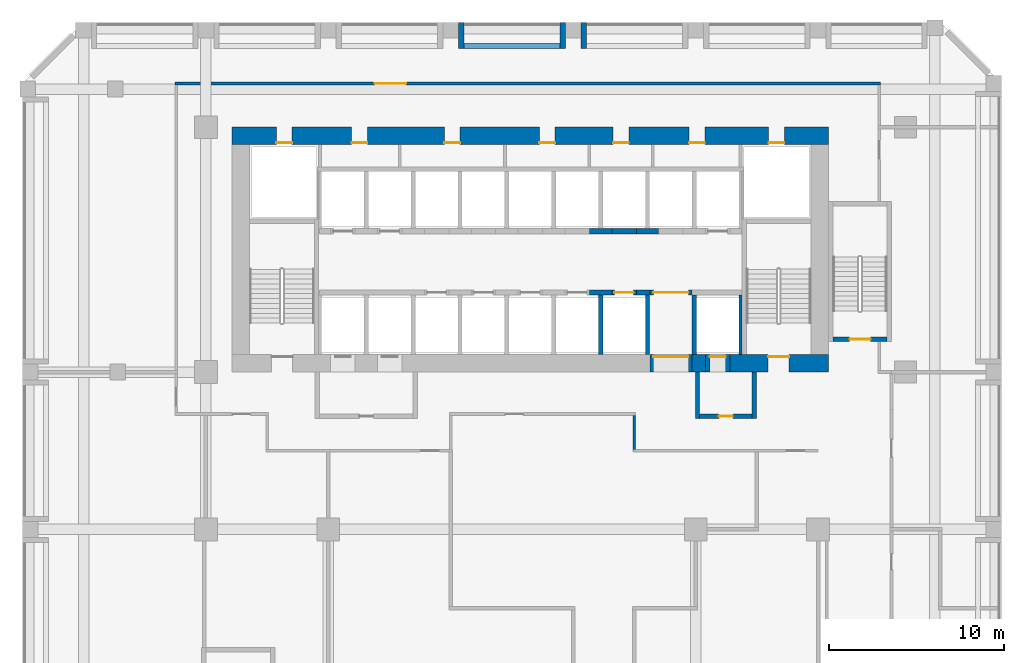
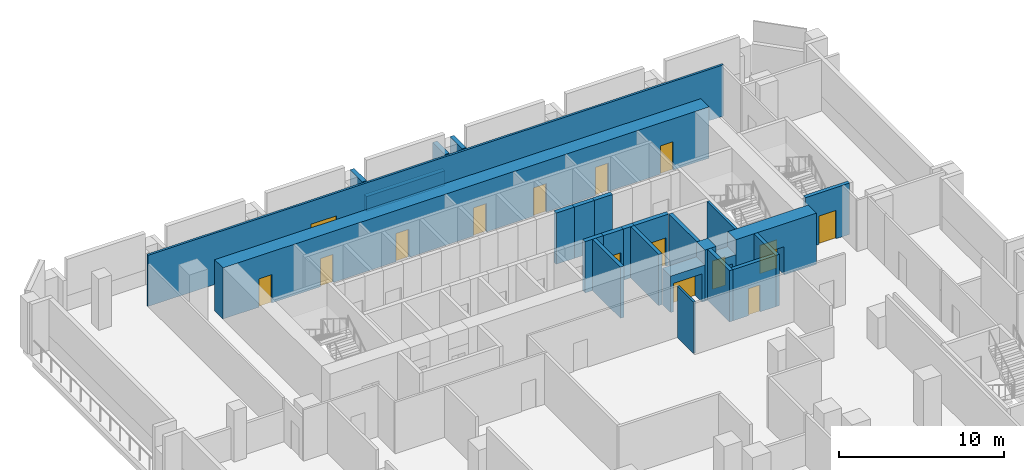
# One storey, part 5 of 10: 26 walls, 15 doors, 15 openings.
"""IFC4 building model written with IfcOpenShell, lengths in metres."""

from ifc_helpers import new_model, si_unit, direction, frame, frame_2d, origin, place, context, subcontext, project, spatial, rectangle, extrude, source, transform, mapped, material, layer, layer_set, type_object, element, fill, save


model = new_model("IFC4")

# Units and contexts
model_context = context("Model", 3, precision=1e-05, world=origin(), true_north=direction((0.0, 1.0)))
body_context = subcontext(model_context, "Body", "Model", "MODEL_VIEW")
ifc_project = project(units=[si_unit("LENGTHUNIT", "METRE"), si_unit("AREAUNIT", "SQUARE_METRE"), si_unit("VOLUMEUNIT", "CUBIC_METRE"), si_unit("PLANEANGLEUNIT", "RADIAN"), si_unit("MASSUNIT", "GRAM", prefix="KILO")], contexts=[model_context])

# Site, building, storey
site_placement = place(None, origin())
site = spatial("IfcSite", under=ifc_project, at=site_placement, CompositionType="ELEMENT")
building_placement = place(site_placement, origin())
building = spatial("IfcBuilding", under=site, at=building_placement, Name="Kilnfold Tower and Market Hall", CompositionType="ELEMENT")
storey_placement = place(building_placement, frame((0.0, 0.0, 59.0)))
storey = spatial("IfcBuildingStorey", under=building, at=storey_placement, Name="L13 Plant Transfer Level", CompositionType="ELEMENT", Elevation=59.0)

# Wall
ifc_material_1 = material(Name="Gypsum board on steel studs", Category="steel")
ifc_layer_1 = layer(ifc_material_1, 0.14990234375)
ifc_layer_set_1 = layer_set([ifc_layer_1], Name="Gypsum board on steel studs")
wall_type_1 = type_object("IfcWallType", Name="WALL CORRIDOR 150", PredefinedType="PARTITIONING", material=ifc_layer_set_1)
wall_1_placement = place(storey_placement, frame((7.0, 5.52490234375, 0.0), z_axis=(0.0, 0.0, 1.0), x_axis=(0.0, -1.0, 0.0)))
element("IfcWall", 1, at=wall_1_placement, inside=storey, type_object=wall_type_1, Name="Partition LY11.6", PredefinedType="PARTITIONING", context=body_context, shape_type="SweptSolid", body=[
    extrude(rectangle(XDim=1.949951171875, YDim=0.14990234375, at=frame_2d((0.97509765625, 0.0))), origin(), (0.0, 0.0, 1.0), 3.800048828125),
])

# Wall, opening, door
wall_2_placement = place(storey_placement, frame((21.074951171875, 24.5, 0.0), z_axis=(0.0, 0.0, 1.0), x_axis=(-1.0, 0.0, 0.0)))
wall_2 = element("IfcWall", 2, at=wall_2_placement, inside=storey, type_object=wall_type_1, Name="Partition LY11.17", PredefinedType="PARTITIONING", context=body_context, shape_type="SweptSolid", body=[
    extrude(rectangle(XDim=40.349853515625, YDim=0.14990234375, at=frame_2d((20.1748046875, 0.0))), origin(), (0.0, 0.0, 1.0), 3.800048828125),
])
opening_1_placement = place(wall_2_placement, frame((27.135009765625, 0.0, 0.0)))
opening_1 = element("IfcOpeningElement", 3, at=opening_1_placement, cuts=wall_2, Name="Opening D5", PredefinedType="OPENING", context=body_context, shape_type="SweptSolid", body=[
    extrude(rectangle(XDim=1.800048828125, YDim=2.10009765625, at=frame_2d((0.89990234375, 1.050048828125))), frame((0.0, 0.0849609375, 0.0), z_axis=(0.0, -1.0, 0.0), x_axis=(1.0, 0.0, 0.0)), (0.0, 0.0, 1.0), 0.169921875),
])
ifc_material_2 = material(Name="Timber veneer door leaf in steel frame", Category="steel")
door_type_1 = type_object("IfcDoorType", Name="DOOR DOUBLE 1800 X2100", OperationType="NOTDEFINED", PredefinedType="DOOR", material=ifc_material_2)
door_1_placement = place(opening_1_placement, origin())
door_1 = element("IfcDoor", 4, at=door_1_placement, inside=storey, type_object=door_type_1, Name="Door D5", OperationType="DOUBLE_DOOR_SINGLE_SWING", OverallHeight=2.10009765625, OverallWidth=1.800048828125, PredefinedType="DOOR", context=body_context, shape_type="SweptSolid", body=[
    extrude(rectangle(XDim=1.800048828125, YDim=2.10009765625, at=frame_2d((0.89990234375, 1.050048828125))), frame((0.0, 0.02490234375, 0.0), z_axis=(0.0, -1.0, 0.0), x_axis=(1.0, 0.0, 0.0)), (0.0, 0.0, 1.0), 0.050048828125),
])
fill(opening_1, door_1)

# Wall
ifc_material_3 = material(Name="Concrete C80", Category="concrete")
ifc_layer_2 = layer(ifc_material_3, 1.0)
ifc_layer_set_2 = layer_set([ifc_layer_2], Name="Concrete C80")
wall_type_2 = type_object("IfcWallType", Name="CORE WALL 1000 C80", PredefinedType="SHEAR", material=ifc_layer_set_2)
shared_shape_1 = source(origin(), body_context, "Body", "SweptSolid", [
    extrude(rectangle(XDim=0.780029296875, YDim=1.0, at=frame_2d((0.39013671875, 0.0))), origin(), (0.0, 0.0, 1.0), 3.800048828125),
])
wall_3_placement = place(storey_placement, frame((10.2900390625, 8.5, 0.0), z_axis=(0.0, 0.0, 1.0), x_axis=(1.0, 0.0, 0.0)))
element("IfcWall", 5, at=wall_3_placement, inside=storey, type_object=wall_type_2, Name="Core outer wall south", PredefinedType="SHEAR", context=body_context, shape_type="MappedRepresentation", body=[
    mapped(shared_shape_1, transform((0.0, 0.0, 0.0))),
])

# Wall, opening, door
shared_shape_2 = source(origin(), body_context, "Body", "SweptSolid", [
    extrude(rectangle(XDim=5.630126953125, YDim=1.0, at=frame_2d((2.81494140625, 0.0))), origin(), (0.0, 0.0, 1.0), 3.800048828125),
])
wall_4_placement = place(storey_placement, frame((12.469970703125, 8.5, 0.0), z_axis=(0.0, 0.0, 1.0), x_axis=(1.0, 0.0, 0.0)))
wall_4 = element("IfcWall", 6, at=wall_4_placement, inside=storey, type_object=wall_type_2, Name="Core outer wall south", PredefinedType="SHEAR", context=body_context, shape_type="MappedRepresentation", body=[
    mapped(shared_shape_2, transform((0.0, 0.0, 0.0))),
])
opening_2_placement = place(wall_4_placement, frame((2.179931640625, 0.0, 0.0)))
opening_2 = element("IfcOpeningElement", 7, at=opening_2_placement, cuts=wall_4, Name="Opening SD1", PredefinedType="OPENING", context=body_context, shape_type="SweptSolid", body=[
    extrude(rectangle(XDim=1.199951171875, YDim=2.10009765625, at=frame_2d((0.60009765625, 1.050048828125))), frame((0.0, 0.510009765625, 0.0), z_axis=(0.0, -1.0, 0.0), x_axis=(1.0, 0.0, 0.0)), (0.0, 0.0, 1.0), 1.02001953125),
])
ifc_material_4 = material(Name="Steel door set with fire-resisting leaf", Category="steel")
door_type_2 = type_object("IfcDoorType", Name="STAIR FLOOR DOOR 1200X2100", OperationType="NOTDEFINED", PredefinedType="DOOR", material=ifc_material_4)
door_2_placement = place(opening_2_placement, origin())
door_2 = element("IfcDoor", 8, at=door_2_placement, inside=storey, type_object=door_type_2, Name="Exit stair ST2 door", OperationType="DOUBLE_DOOR_SINGLE_SWING", OverallHeight=2.10009765625, OverallWidth=1.199951171875, PredefinedType="DOOR", context=body_context, shape_type="SweptSolid", body=[
    extrude(rectangle(XDim=1.199951171875, YDim=2.10009765625, at=frame_2d((0.60009765625, 1.050048828125))), frame((0.0, 0.40478515625, 0.0), z_axis=(0.0, -1.0, 0.0), x_axis=(1.0, 0.0, 0.0)), (0.0, 0.0, 1.0), 0.050048828125),
])
fill(opening_2, door_2)

# Wall, openings, doors
shared_shape_3 = source(origin(), body_context, "Body", "SweptSolid", [
    extrude(rectangle(XDim=34.10009765625, YDim=1.0, at=frame_2d((17.050048828125, 0.0))), origin(), (0.0, 0.0, 1.0), 3.800048828125),
])
wall_5_placement = place(storey_placement, frame((-16.0, 21.5, 0.0), z_axis=(0.0, 0.0, 1.0), x_axis=(1.0, 0.0, 0.0)))
wall_5 = element("IfcWall", 9, at=wall_5_placement, inside=storey, type_object=wall_type_2, Name="Core outer wall north", PredefinedType="SHEAR", context=body_context, shape_type="MappedRepresentation", body=[
    mapped(shared_shape_3, transform((0.0, 0.0, 0.0))),
])
opening_3_placement = place(wall_5_placement, frame((6.831298828125, 0.0, 0.0)))
opening_3 = element("IfcOpeningElement", 10, at=opening_3_placement, cuts=wall_5, Name="Opening KD1", PredefinedType="OPENING", context=body_context, shape_type="SweptSolid", body=[
    extrude(rectangle(XDim=0.89990234375, YDim=2.10009765625, at=frame_2d((0.449951171875, 1.050048828125))), frame((0.0, 0.510009765625, 0.0), z_axis=(0.0, -1.0, 0.0), x_axis=(1.0, 0.0, 0.0)), (0.0, 0.0, 1.0), 1.02001953125),
])
opening_4_placement = place(wall_5_placement, frame((12.1376953125, 0.0, 0.0)))
opening_4 = element("IfcOpeningElement", 11, at=opening_4_placement, cuts=wall_5, Name="Opening KD1", PredefinedType="OPENING", context=body_context, shape_type="SweptSolid", body=[
    extrude(rectangle(XDim=0.89990234375, YDim=2.10009765625, at=frame_2d((0.449951171875, 1.050048828125))), frame((0.0, 0.510009765625, 0.0), z_axis=(0.0, -1.0, 0.0), x_axis=(1.0, 0.0, 0.0)), (0.0, 0.0, 1.0), 1.02001953125),
])
opening_5_placement = place(wall_5_placement, frame((17.564697265625, 0.0, 0.0)))
opening_5 = element("IfcOpeningElement", 12, at=opening_5_placement, cuts=wall_5, Name="Opening KD1", PredefinedType="OPENING", context=body_context, shape_type="SweptSolid", body=[
    extrude(rectangle(XDim=0.89990234375, YDim=2.10009765625, at=frame_2d((0.449951171875, 1.050048828125))), frame((0.0, 0.510009765625, 0.0), z_axis=(0.0, -1.0, 0.0), x_axis=(1.0, 0.0, 0.0)), (0.0, 0.0, 1.0), 1.02001953125),
])
opening_6_placement = place(wall_5_placement, frame((21.785888671875, 0.0, 0.0)))
opening_6 = element("IfcOpeningElement", 13, at=opening_6_placement, cuts=wall_5, Name="Opening KD1", PredefinedType="OPENING", context=body_context, shape_type="SweptSolid", body=[
    extrude(rectangle(XDim=0.89990234375, YDim=2.10009765625, at=frame_2d((0.449951171875, 1.050048828125))), frame((0.0, 0.510009765625, 0.0), z_axis=(0.0, -1.0, 0.0), x_axis=(1.0, 0.0, 0.0)), (0.0, 0.0, 1.0), 1.02001953125),
])
opening_7_placement = place(wall_5_placement, frame((26.12744140625, 0.0, 0.0)))
opening_7 = element("IfcOpeningElement", 14, at=opening_7_placement, cuts=wall_5, Name="Opening KD1", PredefinedType="OPENING", context=body_context, shape_type="SweptSolid", body=[
    extrude(rectangle(XDim=0.89990234375, YDim=2.10009765625, at=frame_2d((0.449951171875, 1.050048828125))), frame((0.0, 0.510009765625, 0.0), z_axis=(0.0, -1.0, 0.0), x_axis=(1.0, 0.0, 0.0)), (0.0, 0.0, 1.0), 1.02001953125),
])
opening_8_placement = place(wall_5_placement, frame((2.52490234375, 0.0, 0.0)))
opening_8 = element("IfcOpeningElement", 15, at=opening_8_placement, cuts=wall_5, Name="Opening KD1", PredefinedType="OPENING", context=body_context, shape_type="SweptSolid", body=[
    extrude(rectangle(XDim=0.89990234375, YDim=2.10009765625, at=frame_2d((0.449951171875, 1.050048828125))), frame((0.0, 0.510009765625, 0.0), z_axis=(0.0, -1.0, 0.0), x_axis=(1.0, 0.0, 0.0)), (0.0, 0.0, 1.0), 1.02001953125),
])
opening_9_placement = place(wall_5_placement, frame((30.675048828125, 0.0, 0.0)))
opening_9 = element("IfcOpeningElement", 16, at=opening_9_placement, cuts=wall_5, Name="Opening KD1", PredefinedType="OPENING", context=body_context, shape_type="SweptSolid", body=[
    extrude(rectangle(XDim=0.89990234375, YDim=2.10009765625, at=frame_2d((0.449951171875, 1.050048828125))), frame((0.0, 0.510009765625, 0.0), z_axis=(0.0, -1.0, 0.0), x_axis=(1.0, 0.0, 0.0)), (0.0, 0.0, 1.0), 1.02001953125),
])
ifc_material_5 = material(Name="Steel door set with fire-resisting leaf", Category="steel")
door_type_3 = type_object("IfcDoorType", Name="SERVICE DOOR 900X2100", OperationType="NOTDEFINED", PredefinedType="DOOR", material=ifc_material_5)
door_3_placement = place(opening_3_placement, origin())
door_3 = element("IfcDoor", 17, at=door_3_placement, inside=storey, type_object=door_type_3, Name="Core service door", OperationType="SINGLE_SWING_RIGHT", OverallHeight=2.10009765625, OverallWidth=0.89990234375, PredefinedType="DOOR", context=body_context, shape_type="SweptSolid", body=[
    extrude(rectangle(XDim=0.89990234375, YDim=2.10009765625, at=frame_2d((0.449951171875, 1.050048828125))), frame((0.0, -0.35498046875, 0.0), z_axis=(0.0, -1.0, 0.0), x_axis=(1.0, 0.0, 0.0)), (0.0, 0.0, 1.0), 0.050048828125),
])
fill(opening_3, door_3)
door_4_placement = place(opening_4_placement, origin())
door_4 = element("IfcDoor", 18, at=door_4_placement, inside=storey, type_object=door_type_3, Name="Core service door", OperationType="SINGLE_SWING_LEFT", OverallHeight=2.10009765625, OverallWidth=0.89990234375, PredefinedType="DOOR", context=body_context, shape_type="SweptSolid", body=[
    extrude(rectangle(XDim=0.89990234375, YDim=2.10009765625, at=frame_2d((0.449951171875, 1.050048828125))), frame((0.0, -0.35498046875, 0.0), z_axis=(0.0, -1.0, 0.0), x_axis=(1.0, 0.0, 0.0)), (0.0, 0.0, 1.0), 0.050048828125),
])
fill(opening_4, door_4)
door_5_placement = place(opening_5_placement, origin())
door_5 = element("IfcDoor", 19, at=door_5_placement, inside=storey, type_object=door_type_3, Name="Core service door", OperationType="SINGLE_SWING_RIGHT", OverallHeight=2.10009765625, OverallWidth=0.89990234375, PredefinedType="DOOR", context=body_context, shape_type="SweptSolid", body=[
    extrude(rectangle(XDim=0.89990234375, YDim=2.10009765625, at=frame_2d((0.449951171875, 1.050048828125))), frame((0.0, -0.35498046875, 0.0), z_axis=(0.0, -1.0, 0.0), x_axis=(1.0, 0.0, 0.0)), (0.0, 0.0, 1.0), 0.050048828125),
])
fill(opening_5, door_5)
door_6_placement = place(opening_6_placement, origin())
door_6 = element("IfcDoor", 20, at=door_6_placement, inside=storey, type_object=door_type_3, Name="Core service door", OperationType="SINGLE_SWING_LEFT", OverallHeight=2.10009765625, OverallWidth=0.89990234375, PredefinedType="DOOR", context=body_context, shape_type="SweptSolid", body=[
    extrude(rectangle(XDim=0.89990234375, YDim=2.10009765625, at=frame_2d((0.449951171875, 1.050048828125))), frame((0.0, -0.35498046875, 0.0), z_axis=(0.0, -1.0, 0.0), x_axis=(1.0, 0.0, 0.0)), (0.0, 0.0, 1.0), 0.050048828125),
])
fill(opening_6, door_6)
door_7_placement = place(opening_7_placement, origin())
door_7 = element("IfcDoor", 21, at=door_7_placement, inside=storey, type_object=door_type_3, Name="Core service door", OperationType="SINGLE_SWING_RIGHT", OverallHeight=2.10009765625, OverallWidth=0.89990234375, PredefinedType="DOOR", context=body_context, shape_type="SweptSolid", body=[
    extrude(rectangle(XDim=0.89990234375, YDim=2.10009765625, at=frame_2d((0.449951171875, 1.050048828125))), frame((0.0, -0.35498046875, 0.0), z_axis=(0.0, -1.0, 0.0), x_axis=(1.0, 0.0, 0.0)), (0.0, 0.0, 1.0), 0.050048828125),
])
fill(opening_7, door_7)
door_8_placement = place(opening_8_placement, origin())
door_8 = element("IfcDoor", 22, at=door_8_placement, inside=storey, type_object=door_type_3, Name="Electrical riser access door", OperationType="SINGLE_SWING_LEFT", OverallHeight=2.10009765625, OverallWidth=0.89990234375, PredefinedType="DOOR", context=body_context, shape_type="SweptSolid", body=[
    extrude(rectangle(XDim=0.89990234375, YDim=2.10009765625, at=frame_2d((0.449951171875, 1.050048828125))), frame((0.0, -0.35498046875, 0.0), z_axis=(0.0, -1.0, 0.0), x_axis=(1.0, 0.0, 0.0)), (0.0, 0.0, 1.0), 0.050048828125),
])
fill(opening_8, door_8)
door_9_placement = place(opening_9_placement, origin())
door_9 = element("IfcDoor", 23, at=door_9_placement, inside=storey, type_object=door_type_3, Name="Mechanical riser access door", OperationType="SINGLE_SWING_RIGHT", OverallHeight=2.10009765625, OverallWidth=0.89990234375, PredefinedType="DOOR", context=body_context, shape_type="SweptSolid", body=[
    extrude(rectangle(XDim=0.89990234375, YDim=2.10009765625, at=frame_2d((0.449951171875, 1.050048828125))), frame((0.0, -0.35498046875, 0.0), z_axis=(0.0, -1.0, 0.0), x_axis=(1.0, 0.0, 0.0)), (0.0, 0.0, 1.0), 0.050048828125),
])
fill(opening_9, door_9)

# Wall, opening, door
ifc_material_6 = material(Name="Concrete C80", Category="concrete")
ifc_layer_3 = layer(ifc_material_6, 0.25)
ifc_layer_set_3 = layer_set([ifc_layer_3], Name="Concrete C80")
wall_type_3 = type_object("IfcWallType", Name="CORE WALL 250 C80", PredefinedType="SHEAR", material=ifc_layer_set_3)
shared_shape_4 = source(origin(), body_context, "Body", "SweptSolid", [
    extrude(rectangle(XDim=3.099853515625, YDim=0.25, at=frame_2d((1.5498046875, 0.0))), origin(), (0.0, 0.0, 1.0), 3.800048828125),
])
wall_6_placement = place(storey_placement, frame((18.35009765625, 9.875, 0.0), z_axis=(0.0, 0.0, 1.0), x_axis=(1.0, 0.0, 0.0)))
wall_6 = element("IfcWall", 24, at=wall_6_placement, inside=storey, type_object=wall_type_3, Name="Stair enclosure ST5", PredefinedType="SHEAR", context=body_context, shape_type="MappedRepresentation", body=[
    mapped(shared_shape_4, transform((0.0, 0.0, 0.0))),
])
opening_10_placement = place(wall_6_placement, frame((0.949951171875, 0.0, 0.0)))
opening_10 = element("IfcOpeningElement", 25, at=opening_10_placement, cuts=wall_6, Name="Opening SD1", PredefinedType="OPENING", context=body_context, shape_type="SweptSolid", body=[
    extrude(rectangle(XDim=1.199951171875, YDim=2.10009765625, at=frame_2d((0.60009765625, 1.050048828125))), frame((0.0, 0.135009765625, 0.0), z_axis=(0.0, -1.0, 0.0), x_axis=(1.0, 0.0, 0.0)), (0.0, 0.0, 1.0), 0.27001953125),
])
door_10_placement = place(opening_10_placement, origin())
door_10 = element("IfcDoor", 26, at=door_10_placement, inside=storey, type_object=door_type_2, Name="Exit stair ST5 door", OperationType="DOUBLE_DOOR_SINGLE_SWING", OverallHeight=2.10009765625, OverallWidth=1.199951171875, PredefinedType="DOOR", context=body_context, shape_type="SweptSolid", body=[
    extrude(rectangle(XDim=1.199951171875, YDim=2.10009765625, at=frame_2d((0.60009765625, 1.050048828125))), frame((0.0, 0.02490234375, 0.0), z_axis=(0.0, -1.0, 0.0), x_axis=(1.0, 0.0, 0.0)), (0.0, 0.0, 1.0), 0.050048828125),
])
fill(opening_10, door_10)

# Walls
ifc_material_7 = material(Name="Concrete C80", Category="concrete")
ifc_layer_4 = layer(ifc_material_7, 0.300048828125)
ifc_layer_set_4 = layer_set([ifc_layer_4], Name="Concrete C80")
wall_type_4 = type_object("IfcWallType", Name="CORE WALL 300 C80", PredefinedType="SHEAR", material=ifc_layer_set_4)
shared_shape_5 = source(origin(), body_context, "Body", "SweptSolid", [
    extrude(rectangle(XDim=1.280029296875, YDim=0.300048828125, at=frame_2d((0.64013671875, 0.0))), origin(), (0.0, 0.0, 1.0), 3.800048828125),
])
for number, where, z_axis, x_axis, name in (
    (27, (4.429931640625, 12.550048828125, 0.0), (0.0, 0.0, 1.0), (1.0, 0.0, 0.0), "Core spine wall"),
    (28, (4.429931640625, 16.050048828125, 0.0), (0.0, 0.0, 1.0), (1.0, 0.0, 0.0), "Core spine wall"),
):
    element("IfcWall", number, at=place(storey_placement, frame(where, z_axis=z_axis, x_axis=x_axis)), inside=storey, type_object=wall_type_4, Name=name, PredefinedType="SHEAR", context=body_context, shape_type="MappedRepresentation", body=[
        mapped(shared_shape_5, transform((0.0, 0.0, 0.0))),
    ])
shared_shape_6 = source(origin(), body_context, "Body", "SweptSolid", [
    extrude(rectangle(XDim=0.77978515625, YDim=0.300048828125, at=frame_2d((0.389892578125, 0.0))), origin(), (0.0, 0.0, 1.0), 3.800048828125),
])
wall_7_placement = place(storey_placement, frame((7.110107421875, 12.550048828125, 0.0), z_axis=(0.0, 0.0, 1.0), x_axis=(1.0, 0.0, 0.0)))
element("IfcWall", 29, at=wall_7_placement, inside=storey, type_object=wall_type_4, Name="Core spine wall", PredefinedType="SHEAR", context=body_context, shape_type="MappedRepresentation", body=[
    mapped(shared_shape_6, transform((0.0, 0.0, 0.0))),
])
shared_shape_7 = source(origin(), body_context, "Body", "SweptSolid", [
    extrude(rectangle(XDim=1.27978515625, YDim=0.300048828125, at=frame_2d((0.639892578125, 0.0))), origin(), (0.0, 0.0, 1.0), 3.800048828125),
])
wall_8_placement = place(storey_placement, frame((7.110107421875, 16.050048828125, 0.0), z_axis=(0.0, 0.0, 1.0), x_axis=(1.0, 0.0, 0.0)))
element("IfcWall", 30, at=wall_8_placement, inside=storey, type_object=wall_type_4, Name="Core spine wall", PredefinedType="SHEAR", context=body_context, shape_type="MappedRepresentation", body=[
    mapped(shared_shape_7, transform((0.0, 0.0, 0.0))),
])
ifc_material_8 = material(Name="Precast concrete C50/60", Category="concrete")
ifc_layer_5 = layer(ifc_material_8, 0.300048828125)
ifc_layer_set_5 = layer_set([ifc_layer_5], Name="Precast concrete C50/60")
wall_type_5 = type_object("IfcWallType", Name="PRECAST WALL 300", PredefinedType="SOLIDWALL", material=ifc_layer_set_5)
shared_shape_8 = source(origin(), body_context, "Body", "SweptSolid", [
    extrude(rectangle(XDim=5.5, YDim=0.300048828125, at=frame_2d((2.75, 0.0))), origin(), (0.0, 0.0, 1.0), 1.10009765625),
])
wall_9_placement = place(storey_placement, frame((2.75, 26.64990234375, 0.0), z_axis=(0.0, 0.0, 1.0), x_axis=(-1.0, 0.0, 0.0)))
element("IfcWall", 31, at=wall_9_placement, inside=storey, type_object=wall_type_5, Name="Knee wall L13 N", PredefinedType="SOLIDWALL", context=body_context, shape_type="MappedRepresentation", body=[
    mapped(shared_shape_8, transform((0.0, 0.0, 0.0))),
])
shared_shape_9 = source(origin(), body_context, "Body", "SweptSolid", [
    extrude(rectangle(XDim=1.5, YDim=0.300048828125, at=frame_2d((0.75, 0.0))), origin(), (0.0, 0.0, 1.0), 2.300048828125),
])
for number, where, z_axis, x_axis, name in (
    (32, (4.10009765625, 28.0, 0.0), (0.0, 0.0, 1.0), (0.0, -1.0, 0.0), "Plant wall L13 N"),
    (33, (2.89990234375, 28.0, 0.0), (0.0, 0.0, 1.0), (0.0, -1.0, 0.0), "Plant wall L13 N"),
    (34, (-2.89990234375, 28.0, 0.0), (0.0, 0.0, 1.0), (0.0, -1.0, 0.0), "Plant wall L13 N"),
):
    element("IfcWall", number, at=place(storey_placement, frame(where, z_axis=z_axis, x_axis=x_axis)), inside=storey, type_object=wall_type_5, Name=name, PredefinedType="SOLIDWALL", context=body_context, shape_type="MappedRepresentation", body=[
        mapped(shared_shape_9, transform((0.0, 0.0, 0.0))),
    ])

# Wall, opening, door
ifc_material_9 = material(Name="Gypsum shaft wall system")
ifc_layer_6 = layer(ifc_material_9, 1.0)
ifc_layer_set_6 = layer_set([ifc_layer_6], Name="Gypsum shaft wall system")
wall_type_6 = type_object("IfcWallType", Name="LOBBY WALL 1000", PredefinedType="PARTITIONING", material=ifc_layer_set_6)
shared_shape_10 = source(origin(), body_context, "Body", "SweptSolid", [
    extrude(rectangle(XDim=1.39990234375, YDim=1.0, at=frame_2d((0.699951171875, 0.0))), origin(), (0.0, 0.0, 1.0), 2.699951171875),
])
wall_10_placement = place(storey_placement, frame((11.070068359375, 8.5, 0.0), z_axis=(0.0, 0.0, 1.0), x_axis=(1.0, 0.0, 0.0)))
wall_10 = element("IfcWall", 35, at=wall_10_placement, inside=storey, type_object=wall_type_6, Name="Core wall infill", PredefinedType="PARTITIONING", context=body_context, shape_type="MappedRepresentation", body=[
    mapped(shared_shape_10, transform((0.0, 0.0, 0.0))),
])
opening_11_placement = place(wall_10_placement, frame((0.25, 0.0, 0.0)))
opening_11 = element("IfcOpeningElement", 36, at=opening_11_placement, cuts=wall_10, Name="Opening LD1", PredefinedType="OPENING", context=body_context, shape_type="SweptSolid", body=[
    extrude(rectangle(XDim=0.89990234375, YDim=2.10009765625, at=frame_2d((0.449951171875, 1.050048828125))), frame((0.0, 0.510009765625, 0.0), z_axis=(0.0, -1.0, 0.0), x_axis=(1.0, 0.0, 0.0)), (0.0, 0.0, 1.0), 1.02001953125),
])
ifc_material_10 = material(Name="Steel door set with fire-resisting leaf", Category="steel")
door_type_4 = type_object("IfcDoorType", Name="FIREFIGHTING LANDING DOOR 900X2100", OperationType="NOTDEFINED", PredefinedType="DOOR", material=ifc_material_10)
door_11_placement = place(opening_11_placement, origin())
door_11 = element("IfcDoor", 37, at=door_11_placement, inside=storey, type_object=door_type_4, Name="Landing door FF3", OperationType="SLIDING_TO_LEFT", OverallHeight=2.10009765625, OverallWidth=0.89990234375, PredefinedType="DOOR", context=body_context, shape_type="SweptSolid", body=[
    extrude(rectangle(XDim=0.89990234375, YDim=2.10009765625, at=frame_2d((0.449951171875, 1.050048828125))), frame((0.0, 0.40478515625, 0.0), z_axis=(0.0, -1.0, 0.0), x_axis=(1.0, 0.0, 0.0)), (0.0, 0.0, 1.0), 0.050048828125),
])
fill(opening_11, door_11)

shared_shape_11 = source(origin(), body_context, "Body", "SweptSolid", [
    extrude(rectangle(XDim=2.400146484375, YDim=1.0, at=frame_2d((1.2001953125, 0.0))), origin(), (0.0, 0.0, 1.0), 2.699951171875),
])
wall_11_placement = place(storey_placement, frame((7.889892578125, 8.5, 0.0), z_axis=(0.0, 0.0, 1.0), x_axis=(1.0, 0.0, 0.0)))
wall_11 = element("IfcWall", 38, at=wall_11_placement, inside=storey, type_object=wall_type_6, Name="Core wall infill", PredefinedType="PARTITIONING", context=body_context, shape_type="MappedRepresentation", body=[
    mapped(shared_shape_11, transform((0.0, 0.0, 0.0))),
])
opening_12_placement = place(wall_11_placement, frame((0.199951171875, 0.0, 0.0)))
opening_12 = element("IfcOpeningElement", 39, at=opening_12_placement, cuts=wall_11, Name="Opening VD2", PredefinedType="OPENING", context=body_context, shape_type="SweptSolid", body=[
    extrude(rectangle(XDim=2.0, YDim=2.10009765625, at=frame_2d((1.0, 1.050048828125))), frame((0.0, 0.510009765625, 0.0), z_axis=(0.0, -1.0, 0.0), x_axis=(1.0, 0.0, 0.0)), (0.0, 0.0, 1.0), 1.02001953125),
])
ifc_material_11 = material(Name="Steel door set with fire-resisting leaf", Category="steel")
door_type_5 = type_object("IfcDoorType", Name="LIFT LOBBY ENTRANCE DOOR 2000X2100", OperationType="NOTDEFINED", PredefinedType="DOOR", material=ifc_material_11)
door_12_placement = place(opening_12_placement, origin())
door_12 = element("IfcDoor", 40, at=door_12_placement, inside=storey, type_object=door_type_5, Name="Lift lobby entrance door", OperationType="DOUBLE_DOOR_SINGLE_SWING", OverallHeight=2.10009765625, OverallWidth=2.0, PredefinedType="DOOR", context=body_context, shape_type="SweptSolid", body=[
    extrude(rectangle(XDim=2.0, YDim=2.10009765625, at=frame_2d((1.0, 1.050048828125))), frame((0.0, 0.40478515625, 0.0), z_axis=(0.0, -1.0, 0.0), x_axis=(1.0, 0.0, 0.0)), (0.0, 0.0, 1.0), 0.050048828125),
])
fill(opening_12, door_12)

ifc_material_12 = material(Name="Gypsum shaft wall system")
ifc_layer_7 = layer(ifc_material_12, 0.300048828125)
ifc_layer_set_7 = layer_set([ifc_layer_7], Name="Gypsum shaft wall system")
wall_type_7 = type_object("IfcWallType", Name="SHAFT WALL 300", PredefinedType="PARTITIONING", material=ifc_layer_set_7)
shared_shape_12 = source(origin(), body_context, "Body", "SweptSolid", [
    extrude(rectangle(XDim=1.400146484375, YDim=0.300048828125, at=frame_2d((0.7001953125, 0.0))), origin(), (0.0, 0.0, 1.0), 3.800048828125),
])
wall_12_placement = place(storey_placement, frame((5.7099609375, 12.550048828125, 0.0), z_axis=(0.0, 0.0, 1.0), x_axis=(1.0, 0.0, 0.0)))
wall_12 = element("IfcWall", 41, at=wall_12_placement, inside=storey, type_object=wall_type_7, Name="Lift shaft front wall", PredefinedType="PARTITIONING", context=body_context, shape_type="MappedRepresentation", body=[
    mapped(shared_shape_12, transform((0.0, 0.0, 0.0))),
])
opening_13_placement = place(wall_12_placement, frame((0.14990234375, 0.0, 0.0)))
opening_13 = element("IfcOpeningElement", 42, at=opening_13_placement, cuts=wall_12, Name="Opening LD2", PredefinedType="OPENING", context=body_context, shape_type="SweptSolid", body=[
    extrude(rectangle(XDim=1.10009765625, YDim=2.10009765625, at=frame_2d((0.550048828125, 1.050048828125))), frame((0.0, 0.16015625, 0.0), z_axis=(0.0, -1.0, 0.0), x_axis=(1.0, 0.0, 0.0)), (0.0, 0.0, 1.0), 0.320068359375),
])
ifc_material_13 = material(Name="Steel door set with fire-resisting leaf", Category="steel")
door_type_6 = type_object("IfcDoorType", Name="LANDING DOOR 1100X2100", OperationType="NOTDEFINED", PredefinedType="DOOR", material=ifc_material_13)
door_13_placement = place(opening_13_placement, origin())
door_13 = element("IfcDoor", 43, at=door_13_placement, inside=storey, type_object=door_type_6, Name="Landing door LR5", OperationType="DOUBLE_DOOR_SLIDING", OverallHeight=2.10009765625, OverallWidth=1.10009765625, PredefinedType="DOOR", context=body_context, shape_type="SweptSolid", body=[
    extrude(rectangle(XDim=1.10009765625, YDim=2.10009765625, at=frame_2d((0.550048828125, 1.050048828125))), frame((0.0, 0.02490234375, 0.0), z_axis=(0.0, -1.0, 0.0), x_axis=(1.0, 0.0, 0.0)), (0.0, 0.0, 1.0), 0.050048828125),
])
fill(opening_13, door_13)

# Wall
wall_13_placement = place(storey_placement, frame((5.7099609375, 16.050048828125, 0.0), z_axis=(0.0, 0.0, 1.0), x_axis=(1.0, 0.0, 0.0)))
element("IfcWall", 44, at=wall_13_placement, inside=storey, type_object=wall_type_7, Name="Lift shaft front wall", PredefinedType="PARTITIONING", context=body_context, shape_type="MappedRepresentation", body=[
    mapped(shared_shape_12, transform((0.0, 0.0, 0.0))),
])

# Wall, opening, door
shared_shape_13 = source(origin(), body_context, "Body", "SweptSolid", [
    extrude(rectangle(XDim=2.400146484375, YDim=0.300048828125, at=frame_2d((1.2001953125, 0.0))), origin(), (0.0, 0.0, 1.0), 3.800048828125),
])
wall_14_placement = place(storey_placement, frame((7.889892578125, 12.550048828125, 0.0), z_axis=(0.0, 0.0, 1.0), x_axis=(1.0, 0.0, 0.0)))
wall_14 = element("IfcWall", 45, at=wall_14_placement, inside=storey, type_object=wall_type_7, Name="Lift shaft front wall", PredefinedType="PARTITIONING", context=body_context, shape_type="MappedRepresentation", body=[
    mapped(shared_shape_13, transform((0.0, 0.0, 0.0))),
])
opening_14_placement = place(wall_14_placement, frame((0.199951171875, 0.0, 0.0)))
opening_14 = element("IfcOpeningElement", 46, at=opening_14_placement, cuts=wall_14, Name="Opening VD2", PredefinedType="OPENING", context=body_context, shape_type="SweptSolid", body=[
    extrude(rectangle(XDim=2.0, YDim=2.10009765625, at=frame_2d((1.0, 1.050048828125))), frame((0.0, 0.16015625, 0.0), z_axis=(0.0, -1.0, 0.0), x_axis=(1.0, 0.0, 0.0)), (0.0, 0.0, 1.0), 0.320068359375),
])
door_14_placement = place(opening_14_placement, origin())
door_14 = element("IfcDoor", 47, at=door_14_placement, inside=storey, type_object=door_type_5, Name="Lift lobby entrance door", OperationType="DOUBLE_DOOR_SINGLE_SWING", OverallHeight=2.10009765625, OverallWidth=2.0, PredefinedType="DOOR", context=body_context, shape_type="SweptSolid", body=[
    extrude(rectangle(XDim=2.0, YDim=2.10009765625, at=frame_2d((1.0, 1.050048828125))), frame((0.0, 0.02490234375, 0.0), z_axis=(0.0, -1.0, 0.0), x_axis=(1.0, 0.0, 0.0)), (0.0, 0.0, 1.0), 0.050048828125),
])
fill(opening_14, door_14)

# Walls
ifc_material_14 = material(Name="Gypsum shaft wall system")
ifc_layer_8 = layer(ifc_material_14, 0.25)
ifc_layer_set_8 = layer_set([ifc_layer_8], Name="Gypsum shaft wall system")
wall_type_8 = type_object("IfcWallType", Name="LOBBY WALL 250", PredefinedType="PARTITIONING", material=ifc_layer_set_8)
shared_shape_14 = source(origin(), body_context, "Body", "SweptSolid", [
    extrude(rectangle(XDim=2.64990234375, YDim=0.25, at=frame_2d((1.324951171875, 0.0))), origin(), (0.0, 0.0, 1.0), 3.800048828125),
])
for number, where, z_axis, x_axis, name in (
    (48, (10.60498046875, 5.35009765625, 0.0), (0.0, 0.0, 1.0), (0.0, 1.0, 0.0), "Firefighting lobby wall"),
    (49, (13.85498046875, 5.35009765625, 0.0), (0.0, 0.0, 1.0), (0.0, 1.0, 0.0), "Firefighting lobby wall"),
):
    element("IfcWall", number, at=place(storey_placement, frame(where, z_axis=z_axis, x_axis=x_axis)), inside=storey, type_object=wall_type_8, Name=name, PredefinedType="PARTITIONING", context=body_context, shape_type="MappedRepresentation", body=[
        mapped(shared_shape_14, transform((0.0, 0.0, 0.0))),
    ])

# Wall, opening, door
shared_shape_15 = source(origin(), body_context, "Body", "SweptSolid", [
    extrude(rectangle(XDim=3.0, YDim=0.25, at=frame_2d((1.5, 0.0))), origin(), (0.0, 0.0, 1.0), 3.800048828125),
])
wall_15_placement = place(storey_placement, frame((10.72998046875, 5.47509765625, 0.0), z_axis=(0.0, 0.0, 1.0), x_axis=(1.0, 0.0, 0.0)))
wall_15 = element("IfcWall", 50, at=wall_15_placement, inside=storey, type_object=wall_type_8, Name="Firefighting lobby wall", PredefinedType="PARTITIONING", context=body_context, shape_type="MappedRepresentation", body=[
    mapped(shared_shape_15, transform((0.0, 0.0, 0.0))),
])
opening_15_placement = place(wall_15_placement, frame((1.10009765625, 0.0, 0.0)))
opening_15 = element("IfcOpeningElement", 51, at=opening_15_placement, cuts=wall_15, Name="Opening VD1", PredefinedType="OPENING", context=body_context, shape_type="SweptSolid", body=[
    extrude(rectangle(XDim=0.800048828125, YDim=2.0, at=frame_2d((0.39990234375, 1.0))), frame((0.0, 0.135009765625, 0.0), z_axis=(0.0, -1.0, 0.0), x_axis=(1.0, 0.0, 0.0)), (0.0, 0.0, 1.0), 0.27001953125),
])
ifc_material_15 = material(Name="Steel door set with fire-resisting leaf", Category="steel")
door_type_7 = type_object("IfcDoorType", Name="FIREFIGHTING LOBBY DOOR 800X2000", OperationType="NOTDEFINED", PredefinedType="DOOR", material=ifc_material_15)
door_15_placement = place(opening_15_placement, origin())
door_15 = element("IfcDoor", 52, at=door_15_placement, inside=storey, type_object=door_type_7, Name="Firefighting lobby door", OperationType="SINGLE_SWING_RIGHT", OverallHeight=2.0, OverallWidth=0.800048828125, PredefinedType="DOOR", context=body_context, shape_type="SweptSolid", body=[
    extrude(rectangle(XDim=0.800048828125, YDim=2.0, at=frame_2d((0.39990234375, 1.0))), frame((0.0, 0.02490234375, 0.0), z_axis=(0.0, -1.0, 0.0), x_axis=(1.0, 0.0, 0.0)), (0.0, 0.0, 1.0), 0.050048828125),
])
fill(opening_15, door_15)

# Walls
ifc_material_16 = material(Name="Gypsum shaft wall system")
ifc_layer_9 = layer(ifc_material_16, 0.25)
ifc_layer_set_9 = layer_set([ifc_layer_9], Name="Gypsum shaft wall system")
wall_type_9 = type_object("IfcWallType", Name="SHAFT WALL 250", PredefinedType="PARTITIONING", material=ifc_layer_set_9)
shared_shape_16 = source(origin(), body_context, "Body", "SweptSolid", [
    extrude(rectangle(XDim=3.39990234375, YDim=0.25, at=frame_2d((1.699951171875, 0.0))), origin(), (0.0, 0.0, 1.0), 3.800048828125),
])
for number, where, z_axis, x_axis, name in (
    (53, (10.429931640625, 9.0, 0.0), (0.0, 0.0, 1.0), (0.0, 1.0, 0.0), "Lift shaft wall"),
    (54, (5.070068359375, 9.0, 0.0), (0.0, 0.0, 1.0), (0.0, 1.0, 0.0), "Lift shaft wall"),
    (55, (7.75, 9.0, 0.0), (0.0, 0.0, 1.0), (0.0, 1.0, 0.0), "Lift shaft wall"),
):
    element("IfcWall", number, at=place(storey_placement, frame(where, z_axis=z_axis, x_axis=x_axis)), inside=storey, type_object=wall_type_9, Name=name, PredefinedType="PARTITIONING", context=body_context, shape_type="MappedRepresentation", body=[
        mapped(shared_shape_16, transform((0.0, 0.0, 0.0))),
    ])
ifc_material_17 = material(Name="Gypsum shaft wall system")
ifc_layer_10 = layer(ifc_material_17, 0.1650390625)
ifc_layer_set_10 = layer_set([ifc_layer_10], Name="Gypsum shaft wall system")
wall_type_10 = type_object("IfcWallType", Name="SHAFT WALL 165", PredefinedType="PARTITIONING", material=ifc_layer_set_10)
shared_shape_17 = source(origin(), body_context, "Body", "SweptSolid", [
    extrude(rectangle(XDim=3.39990234375, YDim=0.1650390625, at=frame_2d((1.699951171875, 0.0))), origin(), (0.0, 0.0, 1.0), 3.800048828125),
])
wall_16_placement = place(storey_placement, frame((13.0673828125, 9.0, 0.0), z_axis=(0.0, 0.0, 1.0), x_axis=(0.0, 1.0, 0.0)))
element("IfcWall", 56, at=wall_16_placement, inside=storey, type_object=wall_type_10, Name="Lift shaft wall", PredefinedType="PARTITIONING", context=body_context, shape_type="MappedRepresentation", body=[
    mapped(shared_shape_17, transform((0.0, 0.0, 0.0))),
])

save(model, "model.ifc")
